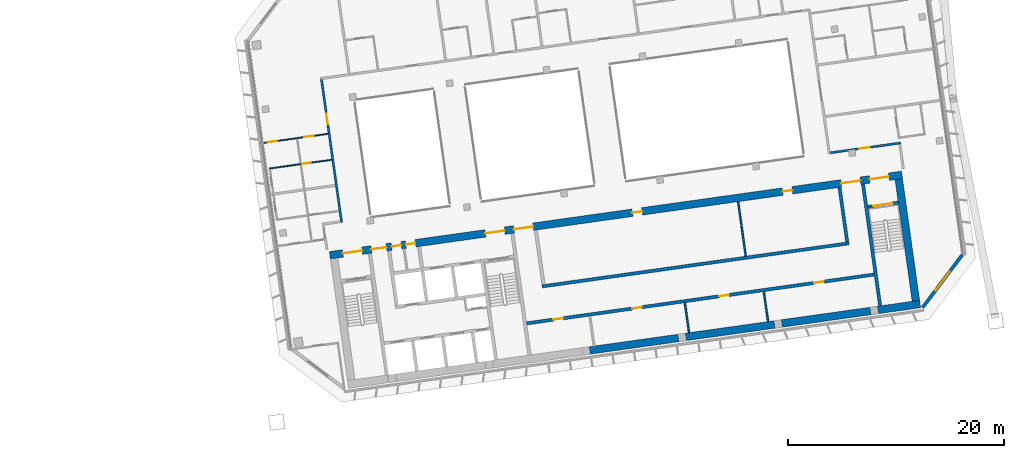
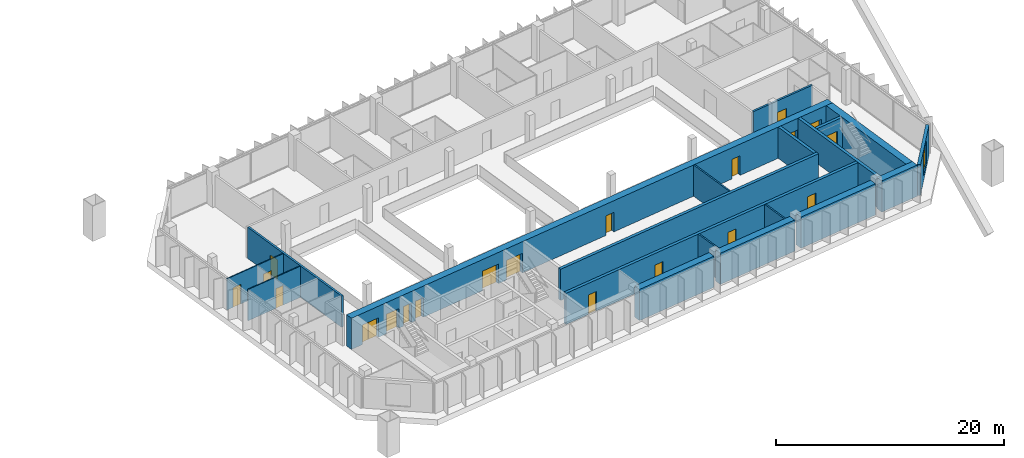
# One storey, part 22 of 28: 20 doors, 19 walls, 1 window, 21 openings.
"""IFC4 building model written with IfcOpenShell, lengths in metres."""

from ifc_helpers import new_model, si_unit, direction, frame, frame_2d, origin, place, context, subcontext, project, spatial, rectangle, extrude, material, layer, layer_set, type_object, element, fill, save


model = new_model("IFC4")

# Units and contexts
model_context = context("Model", 3, precision=1e-05, world=origin(), true_north=direction((0.0, 1.0)))
body_context = subcontext(model_context, "Body", "Model", "MODEL_VIEW")
ifc_project = project(units=[si_unit("LENGTHUNIT", "METRE"), si_unit("AREAUNIT", "SQUARE_METRE"), si_unit("VOLUMEUNIT", "CUBIC_METRE"), si_unit("PLANEANGLEUNIT", "RADIAN"), si_unit("MASSUNIT", "GRAM", prefix="KILO")], contexts=[model_context])

# Site, building, storey
site_placement = place(None, origin())
site = spatial("IfcSite", under=ifc_project, at=site_placement, CompositionType="ELEMENT")
building_placement = place(site_placement, origin())
building = spatial("IfcBuilding", under=site, at=building_placement, Name="Mirante Cascada Hotel Towers", CompositionType="ELEMENT")
storey_placement = place(building_placement, frame((0.0, 0.0, 165.0)))
storey = spatial("IfcBuildingStorey", under=building, at=storey_placement, Name="L38", CompositionType="ELEMENT", Elevation=165.0)

# Wall, opening, door
ifc_material_1 = material(Name="Fire-rated plasterboard on metal studs")
ifc_layer_1 = layer(ifc_material_1, 0.2)
ifc_layer_set_1 = layer_set([ifc_layer_1], Name="Compartment wall 200 EI 120")
wall_type_1 = type_object("IfcWallType", Name="Compartment wall 200 EI 120", PredefinedType="PARTITIONING", material=ifc_layer_set_1)
wall_1_placement = place(storey_placement, frame((88.5029, 2.7886, 0.0), z_axis=(0.0, 0.0, 1.0), x_axis=(-0.990269, -0.1391661, 0.0)))
wall_1 = element("IfcWall", 1, at=wall_1_placement, inside=storey, type_object=wall_type_1, Name="Wall 2-L38-04", PredefinedType="PARTITIONING", context=body_context, shape_type="SweptSolid", body=[
    extrude(rectangle(XDim=6.6, YDim=0.2, at=frame_2d((3.3, 0.0))), origin(), (0.0, 0.0, 1.0), 3.35),
])
opening_1_placement = place(wall_1_placement, frame((2.9, 0.0, 0.0)))
opening_1 = element("IfcOpeningElement", 2, at=opening_1_placement, cuts=wall_1, Name="Opening D2-L38-04", PredefinedType="OPENING", context=body_context, shape_type="SweptSolid", body=[
    extrude(rectangle(XDim=1.0, YDim=2.1, at=frame_2d((0.5, 1.05))), frame((0.0, 0.1, 0.0), z_axis=(0.0, -1.0, 0.0), x_axis=(1.0, 0.0, 0.0)), (0.0, 0.0, 1.0), 0.2),
])
ifc_material_2 = material(Name="Fire-rated timber door leaf", Category="wood")
door_type_1 = type_object("IfcDoorType", Name="Entrance door DG1 1000x2100 EI 60", OperationType="SINGLE_SWING_LEFT", PredefinedType="DOOR", material=ifc_material_2)
door_1_placement = place(opening_1_placement, origin())
door_1 = element("IfcDoor", 3, at=door_1_placement, inside=storey, type_object=door_type_1, Name="Door D2-L38-04", OperationType="SINGLE_SWING_LEFT", OverallHeight=2.1, OverallWidth=1.0, PredefinedType="DOOR", context=body_context, shape_type="SweptSolid", body=[
    extrude(rectangle(XDim=1.0, YDim=2.1, at=frame_2d((0.5, 1.05))), frame((0.0, 0.025, 0.0), z_axis=(0.0, -1.0, 0.0), x_axis=(1.0, 0.0, 0.0)), (0.0, 0.0, 1.0), 0.05),
])
fill(opening_1, door_1)

wall_2_placement = place(storey_placement, frame((36.6268, -4.6031, 0.0), z_axis=(0.0, 0.0, 1.0), x_axis=(-0.1391789, 0.9902673, 0.0)))
wall_2 = element("IfcWall", 4, at=wall_2_placement, inside=storey, type_object=wall_type_1, Name="Wall 2-L38-29", PredefinedType="PARTITIONING", context=body_context, shape_type="SweptSolid", body=[
    extrude(rectangle(XDim=13.4, YDim=0.2, at=frame_2d((6.7, 0.0))), origin(), (0.0, 0.0, 1.0), 3.35),
])
opening_2_placement = place(wall_2_placement, frame((9.2166, 0.0, 0.0)))
opening_2 = element("IfcOpeningElement", 5, at=opening_2_placement, cuts=wall_2, Name="Opening D2-L38-28", PredefinedType="OPENING", context=body_context, shape_type="SweptSolid", body=[
    extrude(rectangle(XDim=1.0, YDim=2.1, at=frame_2d((0.5, 1.05))), frame((0.0, 0.1, 0.0), z_axis=(0.0, -1.0, 0.0), x_axis=(1.0, 0.0, 0.0)), (0.0, 0.0, 1.0), 0.2),
])
door_2_placement = place(opening_2_placement, origin())
door_2 = element("IfcDoor", 6, at=door_2_placement, inside=storey, type_object=door_type_1, Name="Door D2-L38-28", OperationType="SINGLE_SWING_LEFT", OverallHeight=2.1, OverallWidth=1.0, PredefinedType="DOOR", context=body_context, shape_type="SweptSolid", body=[
    extrude(rectangle(XDim=1.0, YDim=2.1, at=frame_2d((0.5, 1.05))), frame((0.0, 0.025, 0.0), z_axis=(0.0, -1.0, 0.0), x_axis=(1.0, 0.0, 0.0)), (0.0, 0.0, 1.0), 0.05),
])
fill(opening_2, door_2)

# Walls
ifc_material_3 = material(Name="Masonry block", Category="masonry")
ifc_layer_2 = layer(ifc_material_3, 0.15)
ifc_layer_set_2 = layer_set([ifc_layer_2], Name="Core room partition 150 block EI 30")
wall_type_2 = type_object("IfcWallType", Name="Core room partition 150 block EI 30", PredefinedType="PARTITIONING", material=ifc_layer_set_2)
wall_3_placement = place(storey_placement, frame((68.8619, -14.8162, 0.0), z_axis=(0.0, 0.0, 1.0), x_axis=(-0.139176, 0.9902677, 0.0)))
element("IfcWall", 7, at=wall_3_placement, inside=storey, type_object=wall_type_2, Name="Core wall partition T2 L38 7", PredefinedType="PARTITIONING", context=body_context, shape_type="SweptSolid", body=[
    extrude(rectangle(XDim=2.8001, YDim=0.15, at=frame_2d((1.4, 0.0))), origin(), (0.0, 0.0, 1.0), 3.35),
])
wall_4_placement = place(storey_placement, frame((76.1899, -13.7863, 0.0), z_axis=(0.0, 0.0, 1.0), x_axis=(-0.139181, 0.990267, 0.0)))
element("IfcWall", 8, at=wall_4_placement, inside=storey, type_object=wall_type_2, Name="Core wall partition T2 L38 8", PredefinedType="PARTITIONING", context=body_context, shape_type="SweptSolid", body=[
    extrude(rectangle(XDim=2.8, YDim=0.15, at=frame_2d((1.4, 0.0))), origin(), (0.0, 0.0, 1.0), 3.35),
])
wall_5_placement = place(storey_placement, frame((74.1247, -7.7146, 0.0), z_axis=(0.0, 0.0, 1.0), x_axis=(-0.139159, 0.9902701, 0.0)))
element("IfcWall", 9, at=wall_5_placement, inside=storey, type_object=wall_type_2, Name="Core wall partition T2 L38 9", PredefinedType="PARTITIONING", context=body_context, shape_type="SweptSolid", body=[
    extrude(rectangle(XDim=5.0999, YDim=0.15, at=frame_2d((2.55, 0.0))), origin(), (0.0, 0.0, 1.0), 3.35),
])

# Wall, openings, doors
ifc_material_4 = material(Name="Masonry block", Category="masonry")
ifc_layer_3 = layer(ifc_material_4, 0.3)
ifc_layer_set_3 = layer_set([ifc_layer_3], Name="Core wall 300 block EI 120")
wall_type_3 = type_object("IfcWallType", Name="Core wall 300 block EI 120", PredefinedType="PARTITIONING", material=ifc_layer_set_3)
wall_6_placement = place(storey_placement, frame((53.7953, -13.9547, 0.0), z_axis=(0.0, 0.0, 1.0), x_axis=(0.990268, 0.1391733, 0.0)))
wall_6 = element("IfcWall", 10, at=wall_6_placement, inside=storey, type_object=wall_type_3, Name="Core wall partition T2 L38 5", PredefinedType="PARTITIONING", context=body_context, shape_type="SweptSolid", body=[
    extrude(rectangle(XDim=32.5501, YDim=0.3, at=frame_2d((16.275, 0.0))), origin(), (0.0, 0.0, 1.0), 3.35),
])
opening_3_placement = place(wall_6_placement, frame((2.5, 0.0, 0.0)))
opening_3 = element("IfcOpeningElement", 11, at=opening_3_placement, cuts=wall_6, Name="Opening D2-38-C20", PredefinedType="OPENING", context=body_context, shape_type="SweptSolid", body=[
    extrude(rectangle(XDim=0.9, YDim=2.1, at=frame_2d((0.45, 1.05))), frame((0.0, 0.15, 0.0), z_axis=(0.0, -1.0, 0.0), x_axis=(1.0, 0.0, 0.0)), (0.0, 0.0, 1.0), 0.3),
])
opening_4_placement = place(wall_6_placement, frame((9.9, 0.0, 0.0)))
opening_4 = element("IfcOpeningElement", 12, at=opening_4_placement, cuts=wall_6, Name="Opening D2-38-C21", PredefinedType="OPENING", context=body_context, shape_type="SweptSolid", body=[
    extrude(rectangle(XDim=0.9, YDim=2.1, at=frame_2d((0.45, 1.05))), frame((0.0, 0.15, 0.0), z_axis=(0.0, -1.0, 0.0), x_axis=(1.0, 0.0, 0.0)), (0.0, 0.0, 1.0), 0.3),
])
opening_5_placement = place(wall_6_placement, frame((18.05, 0.0, 0.0)))
opening_5 = element("IfcOpeningElement", 13, at=opening_5_placement, cuts=wall_6, Name="Opening D2-38-C22", PredefinedType="OPENING", context=body_context, shape_type="SweptSolid", body=[
    extrude(rectangle(XDim=0.9, YDim=2.1, at=frame_2d((0.45, 1.05))), frame((0.0, 0.15, 0.0), z_axis=(0.0, -1.0, 0.0), x_axis=(1.0, 0.0, 0.0)), (0.0, 0.0, 1.0), 0.3),
])
opening_6_placement = place(wall_6_placement, frame((26.925, 0.0, 0.0)))
opening_6 = element("IfcOpeningElement", 14, at=opening_6_placement, cuts=wall_6, Name="Opening D2-38-C23", PredefinedType="OPENING", context=body_context, shape_type="SweptSolid", body=[
    extrude(rectangle(XDim=0.9, YDim=2.1, at=frame_2d((0.45, 1.05))), frame((0.0, 0.15, 0.0), z_axis=(0.0, -1.0, 0.0), x_axis=(1.0, 0.0, 0.0)), (0.0, 0.0, 1.0), 0.3),
])
ifc_material_5 = material(Name="Hollow metal fire door leaf")
door_type_2 = type_object("IfcDoorType", Name="Fire door 900x2100 FD60", OperationType="NOTDEFINED", PredefinedType="DOOR", material=ifc_material_5)
door_3_placement = place(opening_3_placement, frame((0.9, 0.0, 0.0), z_axis=(0.0, 0.0, 1.0), x_axis=(-1.0, 0.0, 0.0)))
door_3 = element("IfcDoor", 15, at=door_3_placement, inside=storey, type_object=door_type_2, Name="Room door T2 L38 20", OperationType="SINGLE_SWING_LEFT", OverallHeight=2.1, OverallWidth=0.9, PredefinedType="DOOR", context=body_context, shape_type="SweptSolid", body=[
    extrude(rectangle(XDim=0.9, YDim=2.1, at=frame_2d((0.45, 1.05))), frame((0.0, 0.025, 0.0), z_axis=(0.0, -1.0, 0.0), x_axis=(1.0, 0.0, 0.0)), (0.0, 0.0, 1.0), 0.05),
])
fill(opening_3, door_3)
door_4_placement = place(opening_4_placement, frame((0.9, 0.0, 0.0), z_axis=(0.0, 0.0, 1.0), x_axis=(-1.0, 0.0, 0.0)))
door_4 = element("IfcDoor", 16, at=door_4_placement, inside=storey, type_object=door_type_2, Name="Room door T2 L38 21", OperationType="SINGLE_SWING_LEFT", OverallHeight=2.1, OverallWidth=0.9, PredefinedType="DOOR", context=body_context, shape_type="SweptSolid", body=[
    extrude(rectangle(XDim=0.9, YDim=2.1, at=frame_2d((0.45, 1.05))), frame((0.0, 0.025, 0.0), z_axis=(0.0, -1.0, 0.0), x_axis=(1.0, 0.0, 0.0)), (0.0, 0.0, 1.0), 0.05),
])
fill(opening_4, door_4)
door_5_placement = place(opening_5_placement, frame((0.9, 0.0, 0.0), z_axis=(0.0, 0.0, 1.0), x_axis=(-1.0, 0.0, 0.0)))
door_5 = element("IfcDoor", 17, at=door_5_placement, inside=storey, type_object=door_type_2, Name="Room door T2 L38 22", OperationType="SINGLE_SWING_RIGHT", OverallHeight=2.1, OverallWidth=0.9, PredefinedType="DOOR", context=body_context, shape_type="SweptSolid", body=[
    extrude(rectangle(XDim=0.9, YDim=2.1, at=frame_2d((0.45, 1.05))), frame((0.0, 0.025, 0.0), z_axis=(0.0, -1.0, 0.0), x_axis=(1.0, 0.0, 0.0)), (0.0, 0.0, 1.0), 0.05),
])
fill(opening_5, door_5)
door_6_placement = place(opening_6_placement, frame((0.9, 0.0, 0.0), z_axis=(0.0, 0.0, 1.0), x_axis=(-1.0, 0.0, 0.0)))
door_6 = element("IfcDoor", 18, at=door_6_placement, inside=storey, type_object=door_type_2, Name="Room door T2 L38 23", OperationType="SINGLE_SWING_RIGHT", OverallHeight=2.1, OverallWidth=0.9, PredefinedType="DOOR", context=body_context, shape_type="SweptSolid", body=[
    extrude(rectangle(XDim=0.9, YDim=2.1, at=frame_2d((0.45, 1.05))), frame((0.0, 0.025, 0.0), z_axis=(0.0, -1.0, 0.0), x_axis=(1.0, 0.0, 0.0)), (0.0, 0.0, 1.0), 0.05),
])
fill(opening_6, door_6)

# Wall, opening, door
ifc_material_6 = material(Name="Plasterboard on metal studs")
ifc_layer_4 = layer(ifc_material_6, 0.1)
ifc_layer_set_4 = layer_set([ifc_layer_4], Name="Partition 100")
wall_type_4 = type_object("IfcWallType", Name="Partition 100", PredefinedType="PARTITIONING", material=ifc_layer_set_4)
wall_7_placement = place(storey_placement, frame((29.9122, 0.4112, 0.0), z_axis=(0.0, 0.0, 1.0), x_axis=(0.9902669, 0.1391815, 0.0)))
wall_7 = element("IfcWall", 19, at=wall_7_placement, inside=storey, type_object=wall_type_4, Name="Wall 2-L38-09", PredefinedType="PARTITIONING", context=body_context, shape_type="SweptSolid", body=[
    extrude(rectangle(XDim=5.8514, YDim=0.1, at=frame_2d((2.9257, 0.0))), origin(), (0.0, 0.0, 1.0), 3.35),
])
opening_7_placement = place(wall_7_placement, frame((3.1, 0.0, 0.0)))
opening_7 = element("IfcOpeningElement", 20, at=opening_7_placement, cuts=wall_7, Name="Opening D2-L38-06", PredefinedType="OPENING", context=body_context, shape_type="SweptSolid", body=[
    extrude(rectangle(XDim=0.8, YDim=2.1, at=frame_2d((0.4, 1.05))), frame((0.0, 0.05, 0.0), z_axis=(0.0, -1.0, 0.0), x_axis=(1.0, 0.0, 0.0)), (0.0, 0.0, 1.0), 0.1),
])
ifc_material_7 = material(Name="Timber door leaf", Category="wood")
door_type_3 = type_object("IfcDoorType", Name="Bathroom door DG4 800x2100", OperationType="SINGLE_SWING_LEFT", PredefinedType="DOOR", material=ifc_material_7)
door_7_placement = place(opening_7_placement, origin())
door_7 = element("IfcDoor", 21, at=door_7_placement, inside=storey, type_object=door_type_3, Name="Door D2-L38-06", OperationType="SINGLE_SWING_LEFT", OverallHeight=2.1, OverallWidth=0.8, PredefinedType="DOOR", context=body_context, shape_type="SweptSolid", body=[
    extrude(rectangle(XDim=0.8, YDim=2.1, at=frame_2d((0.4, 1.05))), frame((0.0, 0.025, 0.0), z_axis=(0.0, -1.0, 0.0), x_axis=(1.0, 0.0, 0.0)), (0.0, 0.0, 1.0), 0.05),
])
fill(opening_7, door_7)

# Wall, openings, doors
wall_8_placement = place(storey_placement, frame((35.368, 3.6352, 0.0), z_axis=(0.0, 0.0, 1.0), x_axis=(-0.9902678, -0.1391753, 0.0)))
wall_8 = element("IfcWall", 22, at=wall_8_placement, inside=storey, type_object=wall_type_4, Name="Wall 2-L38-10", PredefinedType="PARTITIONING", context=body_context, shape_type="SweptSolid", body=[
    extrude(rectangle(XDim=6.3028, YDim=0.1, at=frame_2d((3.1514, 0.0))), origin(), (0.0, 0.0, 1.0), 3.35),
])
opening_8_placement = place(wall_8_placement, frame((4.7521, 0.0, 0.0)))
opening_8 = element("IfcOpeningElement", 23, at=opening_8_placement, cuts=wall_8, Name="Opening D2-L38-07", PredefinedType="OPENING", context=body_context, shape_type="SweptSolid", body=[
    extrude(rectangle(XDim=0.9, YDim=2.1, at=frame_2d((0.45, 1.05))), frame((0.0, 0.05, 0.0), z_axis=(0.0, -1.0, 0.0), x_axis=(1.0, 0.0, 0.0)), (0.0, 0.0, 1.0), 0.1),
])
opening_9_placement = place(wall_8_placement, frame((1.3507, 0.0, 0.0)))
opening_9 = element("IfcOpeningElement", 24, at=opening_9_placement, cuts=wall_8, Name="Opening D2-L38-08", PredefinedType="OPENING", context=body_context, shape_type="SweptSolid", body=[
    extrude(rectangle(XDim=0.9, YDim=2.1, at=frame_2d((0.45, 1.05))), frame((0.0, 0.05, 0.0), z_axis=(0.0, -1.0, 0.0), x_axis=(1.0, 0.0, 0.0)), (0.0, 0.0, 1.0), 0.1),
])
ifc_material_8 = material(Name="Timber door leaf", Category="wood")
door_type_4 = type_object("IfcDoorType", Name="Room door DG3 900x2100", OperationType="SINGLE_SWING_LEFT", PredefinedType="DOOR", material=ifc_material_8)
door_8_placement = place(opening_8_placement, frame((0.9, 0.0, 0.0), z_axis=(0.0, 0.0, 1.0), x_axis=(-1.0, 0.0, 0.0)))
door_8 = element("IfcDoor", 25, at=door_8_placement, inside=storey, type_object=door_type_4, Name="Door D2-L38-07", OperationType="SINGLE_SWING_RIGHT", OverallHeight=2.1, OverallWidth=0.9, PredefinedType="DOOR", context=body_context, shape_type="SweptSolid", body=[
    extrude(rectangle(XDim=0.9, YDim=2.1, at=frame_2d((0.45, 1.05))), frame((0.0, 0.025, 0.0), z_axis=(0.0, -1.0, 0.0), x_axis=(1.0, 0.0, 0.0)), (0.0, 0.0, 1.0), 0.05),
])
fill(opening_8, door_8)
door_9_placement = place(opening_9_placement, frame((0.9, 0.0, 0.0), z_axis=(0.0, 0.0, 1.0), x_axis=(-1.0, 0.0, 0.0)))
door_9 = element("IfcDoor", 26, at=door_9_placement, inside=storey, type_object=door_type_4, Name="Door D2-L38-08", OperationType="SINGLE_SWING_RIGHT", OverallHeight=2.1, OverallWidth=0.9, PredefinedType="DOOR", context=body_context, shape_type="SweptSolid", body=[
    extrude(rectangle(XDim=0.9, YDim=2.1, at=frame_2d((0.45, 1.05))), frame((0.0, 0.025, 0.0), z_axis=(0.0, -1.0, 0.0), x_axis=(1.0, 0.0, 0.0)), (0.0, 0.0, 1.0), 0.05),
])
fill(opening_9, door_9)

# Wall, opening, window
ifc_material_9 = material(Name="Precast concrete C40/50", Category="concrete")
ifc_layer_5 = layer(ifc_material_9, 0.3)
ifc_layer_set_5 = layer_set([ifc_layer_5], Name="Precast concrete C40/50 cladding wall 300")
wall_type_5 = type_object("IfcWallType", Name="Precast concrete C40/50 cladding wall 300", PredefinedType="STANDARD", material=ifc_layer_set_5)
wall_9_placement = place(storey_placement, frame((90.5299, -12.4841, 0.0), z_axis=(0.0, 0.0, 1.0), x_axis=(0.6018063, 0.7986421, 0.0)))
wall_9 = element("IfcWall", 27, at=wall_9_placement, inside=storey, type_object=wall_type_5, Name="Corner cladding wall T2 L38 rear outer", PredefinedType="STANDARD", context=body_context, shape_type="SweptSolid", body=[
    extrude(rectangle(XDim=6.1158, YDim=0.3, at=frame_2d((3.0579, 0.0))), origin(), (0.0, 0.0, 1.0), 3.35),
])
opening_10_placement = place(wall_9_placement, frame((1.9578, 0.0, 0.6)))
opening_10 = element("IfcOpeningElement", 28, at=opening_10_placement, cuts=wall_9, Name="Opening W2-38-01", PredefinedType="OPENING", context=body_context, shape_type="SweptSolid", body=[
    extrude(rectangle(XDim=2.2, YDim=2.4, at=frame_2d((1.1, 1.2))), frame((0.0, 0.15, 0.0), z_axis=(0.0, -1.0, 0.0), x_axis=(1.0, 0.0, 0.0)), (0.0, 0.0, 1.0), 0.3),
])
ifc_material_10 = material(Name="Aluminium frame with clear double glazing", Category="aluminium")
window_type = type_object("IfcWindowType", Name="Corner suite window 2200x2400", PartitioningType="DOUBLE_PANEL_VERTICAL", PredefinedType="WINDOW", material=ifc_material_10)
window_placement = place(opening_10_placement, origin())
window = element("IfcWindow", 29, at=window_placement, inside=storey, type_object=window_type, Name="Window W2-38-01", OverallHeight=2.4, OverallWidth=2.2, PartitioningType="SINGLE_PANEL", PredefinedType="WINDOW", context=body_context, shape_type="SweptSolid", body=[
    extrude(rectangle(XDim=2.2, YDim=2.4, at=frame_2d((1.1, 1.2))), frame((0.0, 0.03, 0.0), z_axis=(0.0, -1.0, 0.0), x_axis=(1.0, 0.0, 0.0)), (0.0, 0.0, 1.0), 0.06),
])
fill(opening_10, window)

# Wall
ifc_material_11 = material(Name="Concrete C50/60", Category="concrete")
ifc_layer_6 = layer(ifc_material_11, 0.3)
ifc_layer_set_6 = layer_set([ifc_layer_6], Name="RC core wall 300 C50/60")
wall_type_6 = type_object("IfcWallType", Name="RC core wall 300 C50/60", PredefinedType="SHEAR", material=ifc_layer_set_6)
wall_10_placement = place(storey_placement, frame((86.5877, -12.325, 0.0), z_axis=(0.0, 0.0, 1.0), x_axis=(-0.1391749, 0.9902678, 0.0)))
element("IfcWall", 30, at=wall_10_placement, inside=storey, type_object=wall_type_6, Name="Core wall T2:L38:8", PredefinedType="SHEAR", context=body_context, shape_type="SweptSolid", body=[
    extrude(rectangle(XDim=11.4, YDim=0.3, at=frame_2d((5.7, 0.0))), origin(), (0.0, 0.0, 1.0), 3.35),
])

# Wall, opening, door
wall_11_placement = place(storey_placement, frame((85.4489, -3.1441, 0.0), z_axis=(0.0, 0.0, 1.0), x_axis=(0.9902697, 0.1391613, 0.0)))
wall_11 = element("IfcWall", 31, at=wall_11_placement, inside=storey, type_object=wall_type_6, Name="Core wall T2:L38:11", PredefinedType="SHEAR", context=body_context, shape_type="SweptSolid", body=[
    extrude(rectangle(XDim=2.8499, YDim=0.3, at=frame_2d((1.425, 0.0))), origin(), (0.0, 0.0, 1.0), 3.35),
])
opening_11_placement = place(wall_11_placement, frame((0.525, 0.0, 0.0)))
opening_11 = element("IfcOpeningElement", 32, at=opening_11_placement, cuts=wall_11, Name="Opening D2-38-C11", PredefinedType="OPENING", context=body_context, shape_type="SweptSolid", body=[
    extrude(rectangle(XDim=1.8, YDim=2.1, at=frame_2d((0.9, 1.05))), frame((0.0, 0.15, 0.0), z_axis=(0.0, -1.0, 0.0), x_axis=(1.0, 0.0, 0.0)), (0.0, 0.0, 1.0), 0.3),
])
ifc_material_12 = material(Name="Hollow metal fire door leaf")
door_type_5 = type_object("IfcDoorType", Name="Double fire door 1800x2100 FD60", OperationType="DOUBLE_DOOR_SINGLE_SWING", PredefinedType="DOOR", material=ifc_material_12)
door_10_placement = place(opening_11_placement, frame((1.8, 0.0, 0.0), z_axis=(0.0, 0.0, 1.0), x_axis=(-1.0, 0.0, 0.0)))
door_10 = element("IfcDoor", 33, at=door_10_placement, inside=storey, type_object=door_type_5, Name="Stair door T2 L38 11", OperationType="DOUBLE_DOOR_SINGLE_SWING", OverallHeight=2.1, OverallWidth=1.8, PredefinedType="DOOR", context=body_context, shape_type="SweptSolid", body=[
    extrude(rectangle(XDim=0.895, YDim=2.1, at=frame_2d((0.4475, 1.05))), frame((0.0, 0.025, 0.0), z_axis=(0.0, -1.0, 0.0), x_axis=(1.0, 0.0, 0.0)), (0.0, 0.0, 1.0), 0.05),
    extrude(rectangle(XDim=0.895, YDim=2.1, at=frame_2d((1.3525, 1.05))), frame((0.0, 0.025, 0.0), z_axis=(0.0, -1.0, 0.0), x_axis=(1.0, 0.0, 0.0)), (0.0, 0.0, 1.0), 0.05),
])
fill(opening_11, door_10)

# Walls
wall_12_placement = place(storey_placement, frame((55.2315, -10.5214, 0.0), z_axis=(0.0, 0.0, 1.0), x_axis=(0.9902682, 0.1391722, 0.0)))
element("IfcWall", 34, at=wall_12_placement, inside=storey, type_object=wall_type_6, Name="Core wall T2:L38:29", PredefinedType="SHEAR", context=body_context, shape_type="SweptSolid", body=[
    extrude(rectangle(XDim=28.75, YDim=0.3, at=frame_2d((14.375, 0.0))), origin(), (0.0, 0.0, 1.0), 3.35),
])
wall_13_placement = place(storey_placement, frame((83.5323, -6.3925, 0.0), z_axis=(0.0, 0.0, 1.0), x_axis=(-0.1391755, 0.9902677, 0.0)))
element("IfcWall", 35, at=wall_13_placement, inside=storey, type_object=wall_type_6, Name="Core wall T2:L38:31", PredefinedType="SHEAR", context=body_context, shape_type="SweptSolid", body=[
    extrude(rectangle(XDim=5.1, YDim=0.3, at=frame_2d((2.55, 0.0))), origin(), (0.0, 0.0, 1.0), 3.35),
])
ifc_material_13 = material(Name="Concrete C50/60", Category="concrete")
ifc_layer_7 = layer(ifc_material_13, 0.7)
ifc_layer_set_7 = layer_set([ifc_layer_7], Name="RC core wall 700 C50/60")
wall_type_7 = type_object("IfcWallType", Name="RC core wall 700 C50/60", PredefinedType="SHEAR", material=ifc_layer_set_7)
for number, where, z_axis, x_axis, name in (
    (36, (59.6516, -16.4641, 0.0), (0.0, 0.0, 1.0), (0.990267, 0.139181, 0.0), "Core wall T2:L38:1.4"),
    (37, (68.564, -15.2115, 0.0), (0.0, 0.0, 1.0), (0.9902686, 0.1391692, 0.0), "Core wall T2:L38:1.5"),
    (38, (77.4764, -13.9589, 0.0), (0.0, 0.0, 1.0), (0.9902686, 0.1391692, 0.0), "Core wall T2:L38:1.6"),
):
    element("IfcWall", number, at=place(storey_placement, frame(where, z_axis=z_axis, x_axis=x_axis)), inside=storey, type_object=wall_type_7, Name=name, PredefinedType="SHEAR", context=body_context, shape_type="SweptSolid", body=[
        extrude(rectangle(XDim=8.3, YDim=0.7, at=frame_2d((4.15, 0.0))), origin(), (0.0, 0.0, 1.0), 3.35),
    ])
wall_14_placement = place(storey_placement, frame((86.3888, -12.7064, 0.0), z_axis=(0.0, 0.0, 1.0), x_axis=(0.9902694, 0.1391633, 0.0)))
element("IfcWall", 39, at=wall_14_placement, inside=storey, type_object=wall_type_7, Name="Core wall T2:L38:1.7", PredefinedType="SHEAR", context=body_context, shape_type="SweptSolid", body=[
    extrude(rectangle(XDim=3.95, YDim=0.7, at=frame_2d((1.975, 0.0))), origin(), (0.0, 0.0, 1.0), 3.35),
])

# Wall, openings, doors
wall_15_placement = place(storey_placement, frame((35.538, -7.6341, 0.0), z_axis=(0.0, 0.0, 1.0), x_axis=(0.990268, 0.1391734, 0.0)))
wall_15 = element("IfcWall", 40, at=wall_15_placement, inside=storey, type_object=wall_type_7, Name="Core wall T2:L38:2", PredefinedType="SHEAR", context=body_context, shape_type="SweptSolid", body=[
    extrude(rectangle(XDim=53.6, YDim=0.7, at=frame_2d((26.8, 0.0))), origin(), (0.0, 0.0, 1.0), 3.35),
])
opening_12_placement = place(wall_15_placement, frame((1.225, 0.0, 0.0)))
opening_12 = element("IfcOpeningElement", 41, at=opening_12_placement, cuts=wall_15, Name="Opening D2-38-C08", PredefinedType="OPENING", context=body_context, shape_type="SweptSolid", body=[
    extrude(rectangle(XDim=1.8, YDim=2.1, at=frame_2d((0.9, 1.05))), frame((0.0, 0.35, 0.0), z_axis=(0.0, -1.0, 0.0), x_axis=(1.0, 0.0, 0.0)), (0.0, 0.0, 1.0), 0.7),
])
opening_13_placement = place(wall_15_placement, frame((14.575, 0.0, 0.0)))
opening_13 = element("IfcOpeningElement", 42, at=opening_13_placement, cuts=wall_15, Name="Opening D2-38-C10", PredefinedType="OPENING", context=body_context, shape_type="SweptSolid", body=[
    extrude(rectangle(XDim=1.8, YDim=2.1, at=frame_2d((0.9, 1.05))), frame((0.0, 0.35, 0.0), z_axis=(0.0, -1.0, 0.0), x_axis=(1.0, 0.0, 0.0)), (0.0, 0.0, 1.0), 0.7),
])
opening_14_placement = place(wall_15_placement, frame((50.575, 0.0, 0.0)))
opening_14 = element("IfcOpeningElement", 43, at=opening_14_placement, cuts=wall_15, Name="Opening D2-38-C12", PredefinedType="OPENING", context=body_context, shape_type="SweptSolid", body=[
    extrude(rectangle(XDim=1.8, YDim=2.1, at=frame_2d((0.9, 1.05))), frame((0.0, 0.35, 0.0), z_axis=(0.0, -1.0, 0.0), x_axis=(1.0, 0.0, 0.0)), (0.0, 0.0, 1.0), 0.7),
])
opening_15_placement = place(wall_15_placement, frame((3.9, 0.0, 0.0)))
opening_15 = element("IfcOpeningElement", 44, at=opening_15_placement, cuts=wall_15, Name="Opening D2-38-C13", PredefinedType="OPENING", context=body_context, shape_type="SweptSolid", body=[
    extrude(rectangle(XDim=1.4, YDim=2.1, at=frame_2d((0.7, 1.05))), frame((0.0, 0.35, 0.0), z_axis=(0.0, -1.0, 0.0), x_axis=(1.0, 0.0, 0.0)), (0.0, 0.0, 1.0), 0.7),
])
opening_16_placement = place(wall_15_placement, frame((17.25, 0.0, 0.0)))
opening_16 = element("IfcOpeningElement", 45, at=opening_16_placement, cuts=wall_15, Name="Opening D2-38-C14", PredefinedType="OPENING", context=body_context, shape_type="SweptSolid", body=[
    extrude(rectangle(XDim=1.8, YDim=2.1, at=frame_2d((0.9, 1.05))), frame((0.0, 0.35, 0.0), z_axis=(0.0, -1.0, 0.0), x_axis=(1.0, 0.0, 0.0)), (0.0, 0.0, 1.0), 0.7),
])
opening_17_placement = place(wall_15_placement, frame((47.9, 0.0, 0.0)))
opening_17 = element("IfcOpeningElement", 46, at=opening_17_placement, cuts=wall_15, Name="Opening D2-38-C15", PredefinedType="OPENING", context=body_context, shape_type="SweptSolid", body=[
    extrude(rectangle(XDim=1.8, YDim=2.1, at=frame_2d((0.9, 1.05))), frame((0.0, 0.35, 0.0), z_axis=(0.0, -1.0, 0.0), x_axis=(1.0, 0.0, 0.0)), (0.0, 0.0, 1.0), 0.7),
])
opening_18_placement = place(wall_15_placement, frame((5.7875, 0.0, 0.0)))
opening_18 = element("IfcOpeningElement", 47, at=opening_18_placement, cuts=wall_15, Name="Opening D2-38-C18", PredefinedType="OPENING", context=body_context, shape_type="SweptSolid", body=[
    extrude(rectangle(XDim=0.9, YDim=2.1, at=frame_2d((0.45, 1.05))), frame((0.0, 0.35, 0.0), z_axis=(0.0, -1.0, 0.0), x_axis=(1.0, 0.0, 0.0)), (0.0, 0.0, 1.0), 0.7),
])
opening_19_placement = place(wall_15_placement, frame((7.1125, 0.0, 0.0)))
opening_19 = element("IfcOpeningElement", 48, at=opening_19_placement, cuts=wall_15, Name="Opening D2-38-C19", PredefinedType="OPENING", context=body_context, shape_type="SweptSolid", body=[
    extrude(rectangle(XDim=0.9, YDim=2.1, at=frame_2d((0.45, 1.05))), frame((0.0, 0.35, 0.0), z_axis=(0.0, -1.0, 0.0), x_axis=(1.0, 0.0, 0.0)), (0.0, 0.0, 1.0), 0.7),
])
opening_20_placement = place(wall_15_placement, frame((28.35, 0.0, 0.0)))
opening_20 = element("IfcOpeningElement", 49, at=opening_20_placement, cuts=wall_15, Name="Opening D2-38-C24", PredefinedType="OPENING", context=body_context, shape_type="SweptSolid", body=[
    extrude(rectangle(XDim=0.9, YDim=2.1, at=frame_2d((0.45, 1.05))), frame((0.0, 0.35, 0.0), z_axis=(0.0, -1.0, 0.0), x_axis=(1.0, 0.0, 0.0)), (0.0, 0.0, 1.0), 0.7),
])
opening_21_placement = place(wall_15_placement, frame((42.425, 0.0, 0.0)))
opening_21 = element("IfcOpeningElement", 50, at=opening_21_placement, cuts=wall_15, Name="Opening D2-38-C25", PredefinedType="OPENING", context=body_context, shape_type="SweptSolid", body=[
    extrude(rectangle(XDim=0.9, YDim=2.1, at=frame_2d((0.45, 1.05))), frame((0.0, 0.35, 0.0), z_axis=(0.0, -1.0, 0.0), x_axis=(1.0, 0.0, 0.0)), (0.0, 0.0, 1.0), 0.7),
])
ifc_material_14 = material(Name="Hollow metal fire door leaf")
door_type_6 = type_object("IfcDoorType", Name="Double fire door 1400x2100 FD60", OperationType="DOUBLE_DOOR_SINGLE_SWING", PredefinedType="DOOR", material=ifc_material_14)
door_11_placement = place(opening_15_placement, origin())
door_11 = element("IfcDoor", 51, at=door_11_placement, inside=storey, type_object=door_type_6, Name="Exit door to gallery T2 L38 13", OperationType="DOUBLE_DOOR_SINGLE_SWING", OverallHeight=2.1, OverallWidth=1.4, PredefinedType="DOOR", context=body_context, shape_type="SweptSolid", body=[
    extrude(rectangle(XDim=0.695, YDim=2.1, at=frame_2d((0.3475, 1.05))), frame((0.0, 0.025, 0.0), z_axis=(0.0, -1.0, 0.0), x_axis=(1.0, 0.0, 0.0)), (0.0, 0.0, 1.0), 0.05),
    extrude(rectangle(XDim=0.695, YDim=2.1, at=frame_2d((1.0525, 1.05))), frame((0.0, 0.025, 0.0), z_axis=(0.0, -1.0, 0.0), x_axis=(1.0, 0.0, 0.0)), (0.0, 0.0, 1.0), 0.05),
])
fill(opening_15, door_11)
door_12_placement = place(opening_12_placement, frame((1.8, 0.0, 0.0), z_axis=(0.0, 0.0, 1.0), x_axis=(-1.0, 0.0, 0.0)))
door_12 = element("IfcDoor", 52, at=door_12_placement, inside=storey, type_object=door_type_5, Name="Exit door to gallery T2 L38 8", OperationType="DOUBLE_DOOR_SINGLE_SWING", OverallHeight=2.1, OverallWidth=1.8, PredefinedType="DOOR", context=body_context, shape_type="SweptSolid", body=[
    extrude(rectangle(XDim=0.895, YDim=2.1, at=frame_2d((0.4475, 1.05))), frame((0.0, 0.025, 0.0), z_axis=(0.0, -1.0, 0.0), x_axis=(1.0, 0.0, 0.0)), (0.0, 0.0, 1.0), 0.05),
    extrude(rectangle(XDim=0.895, YDim=2.1, at=frame_2d((1.3525, 1.05))), frame((0.0, 0.025, 0.0), z_axis=(0.0, -1.0, 0.0), x_axis=(1.0, 0.0, 0.0)), (0.0, 0.0, 1.0), 0.05),
])
fill(opening_12, door_12)
door_13_placement = place(opening_13_placement, frame((1.8, 0.0, 0.0), z_axis=(0.0, 0.0, 1.0), x_axis=(-1.0, 0.0, 0.0)))
door_13 = element("IfcDoor", 53, at=door_13_placement, inside=storey, type_object=door_type_5, Name="Exit door to gallery T2 L38 10", OperationType="DOUBLE_DOOR_SINGLE_SWING", OverallHeight=2.1, OverallWidth=1.8, PredefinedType="DOOR", context=body_context, shape_type="SweptSolid", body=[
    extrude(rectangle(XDim=0.895, YDim=2.1, at=frame_2d((0.4475, 1.05))), frame((0.0, 0.025, 0.0), z_axis=(0.0, -1.0, 0.0), x_axis=(1.0, 0.0, 0.0)), (0.0, 0.0, 1.0), 0.05),
    extrude(rectangle(XDim=0.895, YDim=2.1, at=frame_2d((1.3525, 1.05))), frame((0.0, 0.025, 0.0), z_axis=(0.0, -1.0, 0.0), x_axis=(1.0, 0.0, 0.0)), (0.0, 0.0, 1.0), 0.05),
])
fill(opening_13, door_13)
door_14_placement = place(opening_14_placement, frame((1.8, 0.0, 0.0), z_axis=(0.0, 0.0, 1.0), x_axis=(-1.0, 0.0, 0.0)))
door_14 = element("IfcDoor", 54, at=door_14_placement, inside=storey, type_object=door_type_5, Name="Exit door to gallery T2 L38 12", OperationType="DOUBLE_DOOR_SINGLE_SWING", OverallHeight=2.1, OverallWidth=1.8, PredefinedType="DOOR", context=body_context, shape_type="SweptSolid", body=[
    extrude(rectangle(XDim=0.895, YDim=2.1, at=frame_2d((0.4475, 1.05))), frame((0.0, 0.025, 0.0), z_axis=(0.0, -1.0, 0.0), x_axis=(1.0, 0.0, 0.0)), (0.0, 0.0, 1.0), 0.05),
    extrude(rectangle(XDim=0.895, YDim=2.1, at=frame_2d((1.3525, 1.05))), frame((0.0, 0.025, 0.0), z_axis=(0.0, -1.0, 0.0), x_axis=(1.0, 0.0, 0.0)), (0.0, 0.0, 1.0), 0.05),
])
fill(opening_14, door_14)
door_15_placement = place(opening_16_placement, origin())
door_15 = element("IfcDoor", 55, at=door_15_placement, inside=storey, type_object=door_type_5, Name="Exit door to gallery T2 L38 14", OperationType="DOUBLE_DOOR_SINGLE_SWING", OverallHeight=2.1, OverallWidth=1.8, PredefinedType="DOOR", context=body_context, shape_type="SweptSolid", body=[
    extrude(rectangle(XDim=0.895, YDim=2.1, at=frame_2d((0.4475, 1.05))), frame((0.0, 0.025, 0.0), z_axis=(0.0, -1.0, 0.0), x_axis=(1.0, 0.0, 0.0)), (0.0, 0.0, 1.0), 0.05),
    extrude(rectangle(XDim=0.895, YDim=2.1, at=frame_2d((1.3525, 1.05))), frame((0.0, 0.025, 0.0), z_axis=(0.0, -1.0, 0.0), x_axis=(1.0, 0.0, 0.0)), (0.0, 0.0, 1.0), 0.05),
])
fill(opening_16, door_15)
door_16_placement = place(opening_17_placement, origin())
door_16 = element("IfcDoor", 56, at=door_16_placement, inside=storey, type_object=door_type_5, Name="Exit door to gallery T2 L38 15", OperationType="DOUBLE_DOOR_SINGLE_SWING", OverallHeight=2.1, OverallWidth=1.8, PredefinedType="DOOR", context=body_context, shape_type="SweptSolid", body=[
    extrude(rectangle(XDim=0.895, YDim=2.1, at=frame_2d((0.4475, 1.05))), frame((0.0, 0.025, 0.0), z_axis=(0.0, -1.0, 0.0), x_axis=(1.0, 0.0, 0.0)), (0.0, 0.0, 1.0), 0.05),
    extrude(rectangle(XDim=0.895, YDim=2.1, at=frame_2d((1.3525, 1.05))), frame((0.0, 0.025, 0.0), z_axis=(0.0, -1.0, 0.0), x_axis=(1.0, 0.0, 0.0)), (0.0, 0.0, 1.0), 0.05),
])
fill(opening_17, door_16)
door_17_placement = place(opening_18_placement, frame((0.9, 0.0, 0.0), z_axis=(0.0, 0.0, 1.0), x_axis=(-1.0, 0.0, 0.0)))
door_17 = element("IfcDoor", 57, at=door_17_placement, inside=storey, type_object=door_type_2, Name="Room door T2 L38 18", OperationType="SINGLE_SWING_LEFT", OverallHeight=2.1, OverallWidth=0.9, PredefinedType="DOOR", context=body_context, shape_type="SweptSolid", body=[
    extrude(rectangle(XDim=0.9, YDim=2.1, at=frame_2d((0.45, 1.05))), frame((0.0, 0.025, 0.0), z_axis=(0.0, -1.0, 0.0), x_axis=(1.0, 0.0, 0.0)), (0.0, 0.0, 1.0), 0.05),
])
fill(opening_18, door_17)
door_18_placement = place(opening_19_placement, frame((0.9, 0.0, 0.0), z_axis=(0.0, 0.0, 1.0), x_axis=(-1.0, 0.0, 0.0)))
door_18 = element("IfcDoor", 58, at=door_18_placement, inside=storey, type_object=door_type_2, Name="Room door T2 L38 19", OperationType="SINGLE_SWING_LEFT", OverallHeight=2.1, OverallWidth=0.9, PredefinedType="DOOR", context=body_context, shape_type="SweptSolid", body=[
    extrude(rectangle(XDim=0.9, YDim=2.1, at=frame_2d((0.45, 1.05))), frame((0.0, 0.025, 0.0), z_axis=(0.0, -1.0, 0.0), x_axis=(1.0, 0.0, 0.0)), (0.0, 0.0, 1.0), 0.05),
])
fill(opening_19, door_18)
door_19_placement = place(opening_20_placement, frame((0.9, 0.0, 0.0), z_axis=(0.0, 0.0, 1.0), x_axis=(-1.0, 0.0, 0.0)))
door_19 = element("IfcDoor", 59, at=door_19_placement, inside=storey, type_object=door_type_2, Name="Room door T2 L38 24", OperationType="SINGLE_SWING_RIGHT", OverallHeight=2.1, OverallWidth=0.9, PredefinedType="DOOR", context=body_context, shape_type="SweptSolid", body=[
    extrude(rectangle(XDim=0.9, YDim=2.1, at=frame_2d((0.45, 1.05))), frame((0.0, 0.025, 0.0), z_axis=(0.0, -1.0, 0.0), x_axis=(1.0, 0.0, 0.0)), (0.0, 0.0, 1.0), 0.05),
])
fill(opening_20, door_19)
door_20_placement = place(opening_21_placement, frame((0.9, 0.0, 0.0), z_axis=(0.0, 0.0, 1.0), x_axis=(-1.0, 0.0, 0.0)))
door_20 = element("IfcDoor", 60, at=door_20_placement, inside=storey, type_object=door_type_2, Name="Room door T2 L38 25", OperationType="SINGLE_SWING_RIGHT", OverallHeight=2.1, OverallWidth=0.9, PredefinedType="DOOR", context=body_context, shape_type="SweptSolid", body=[
    extrude(rectangle(XDim=0.9, YDim=2.1, at=frame_2d((0.45, 1.05))), frame((0.0, 0.025, 0.0), z_axis=(0.0, -1.0, 0.0), x_axis=(1.0, 0.0, 0.0)), (0.0, 0.0, 1.0), 0.05),
])
fill(opening_21, door_20)

# Wall
wall_16_placement = place(storey_placement, frame((89.9051, -11.8588, 0.0), z_axis=(0.0, 0.0, 1.0), x_axis=(-0.1391749, 0.9902678, 0.0)))
element("IfcWall", 61, at=wall_16_placement, inside=storey, type_object=wall_type_7, Name="Core wall T2:L38:4", PredefinedType="SHEAR", context=body_context, shape_type="SweptSolid", body=[
    extrude(rectangle(XDim=11.4, YDim=0.7, at=frame_2d((5.7, 0.0))), origin(), (0.0, 0.0, 1.0), 3.35),
])

save(model, "model.ifc")
